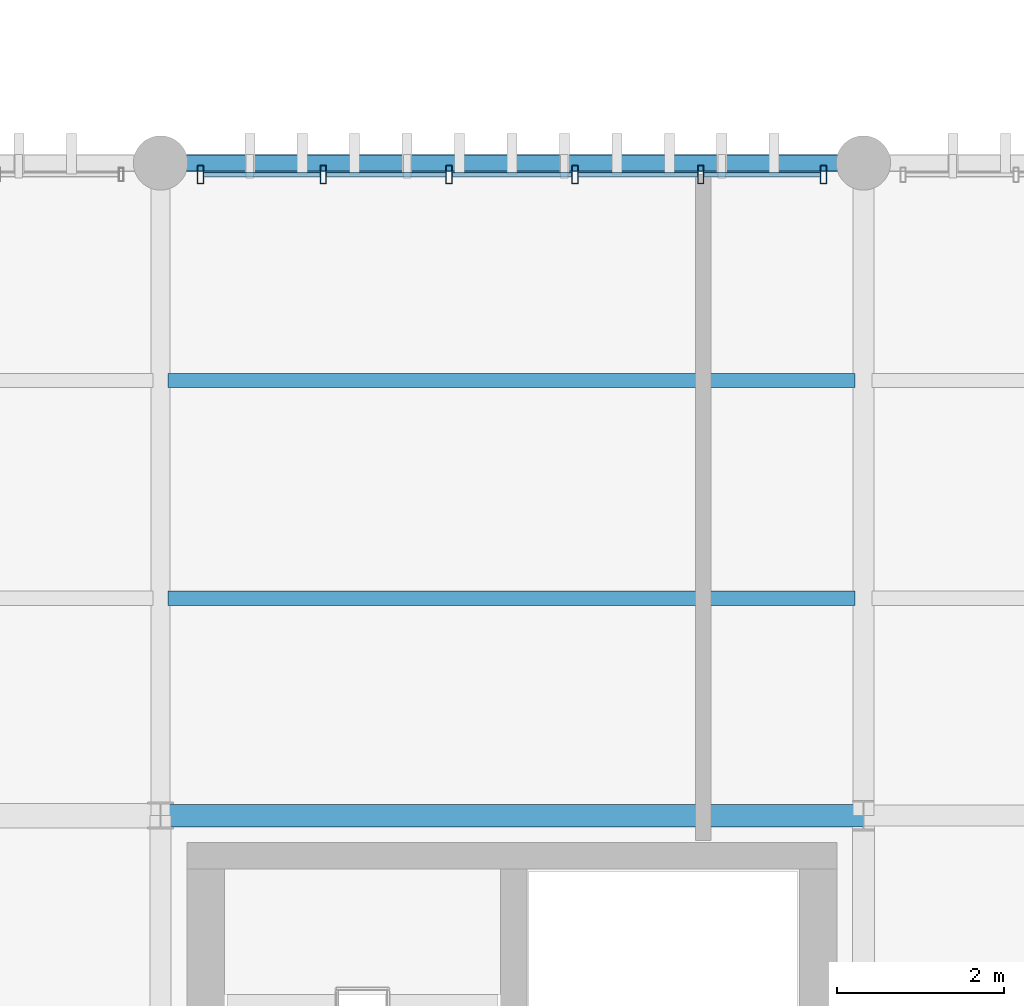
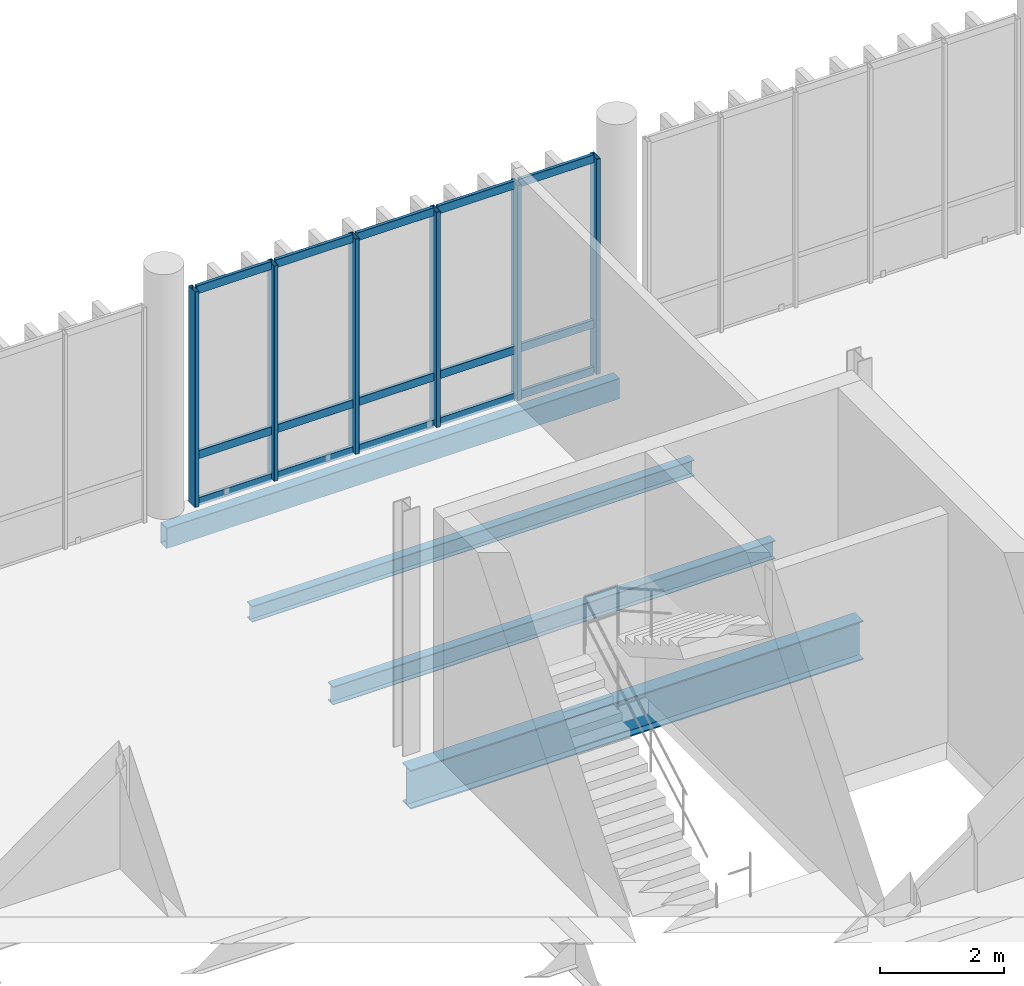
# One storey, part 19 of 86: 21 members, 4 beams, 1 element without a shape of its own.
"""IFC4 building model written with IfcOpenShell, lengths in metres."""

from ifc_helpers import new_model, si_unit, direction, frame, origin_with_axes, origin_2d_with_axis, place, context, subcontext, project, spatial, hollow_rectangle, i_section, extrude, material, material_profile, profile_set, type_object, element, aggregate, save


model = new_model("IFC4")

# Units and contexts
model_context = context("Model", 3, precision=1e-05, world=origin_with_axes(), true_north=direction((0.0, 1.0)))
body_context = subcontext(model_context, "Body", "Model", "MODEL_VIEW")
ifc_project = project(units=[si_unit("LENGTHUNIT", "METRE"), si_unit("AREAUNIT", "SQUARE_METRE"), si_unit("VOLUMEUNIT", "CUBIC_METRE"), si_unit("PLANEANGLEUNIT", "RADIAN"), si_unit("MASSUNIT", "GRAM", prefix="KILO"), si_unit("THERMODYNAMICTEMPERATUREUNIT", "KELVIN")], contexts=[model_context])

# Site, building, storey
site_placement = place(None, origin_with_axes())
site = spatial("IfcSite", under=ifc_project, at=site_placement, CompositionType="ELEMENT")
building_placement = place(site_placement, origin_with_axes())
building = spatial("IfcBuilding", under=site, at=building_placement, Name="Montbau Bow Law Courts", CompositionType="ELEMENT")
storey_placement = place(building_placement, frame((0.0, 0.0, 29.7), z_axis=(0.0, 0.0, 1.0), x_axis=(1.0, 0.0, 0.0)))
storey = spatial("IfcBuildingStorey", under=building, at=storey_placement, Name="L06", CompositionType="ELEMENT", Elevation=29.7)

# Beams
ifc_material_1 = material(Name="Steel CSA G40.21 Grade 350W (350 MPa)", Category="steel")
ifc_material_profile_1 = material_profile(ifc_material_1, i_section(OverallWidth=0.267, OverallDepth=0.766, WebThickness=0.0149, FlangeThickness=0.0236, at=origin_2d_with_axis()), Name="W760X185", Category="Main", Priority=0)
ifc_profile_set_1 = profile_set([ifc_material_profile_1], Name="Steel CSA G40.21 Grade 350W (350 MPa)")
beam_type_1 = type_object("IfcBeamType", Name="B-FLR-03", PredefinedType="BEAM", material=ifc_profile_set_1)
beam_1_placement = place(None, frame((30.6, 54.6, 28.977), z_axis=(1.0, 0.0, 0.0), x_axis=(0.0, 1.0, 0.0)))
element("IfcBeam", 1, at=beam_1_placement, inside=storey, type_object=beam_type_1, Name="BM-L06-S0684:bm2_0687", PredefinedType="BEAM", context=body_context, shape_type="SweptSolid", body=[
    extrude(i_section(OverallWidth=0.267, OverallDepth=0.766, WebThickness=0.0149, FlangeThickness=0.0236, at=origin_2d_with_axis()), origin_with_axes(), (0.0, 0.0, 1.0), 8.4),
])
ifc_material_profile_2 = material_profile(ifc_material_1, i_section(OverallWidth=0.172, OverallDepth=0.358, WebThickness=0.0079, FlangeThickness=0.0131, at=origin_2d_with_axis()), Name="W360X57", Category="Main", Priority=0)
ifc_profile_set_2 = profile_set([ifc_material_profile_2], Name="Steel CSA G40.21 Grade 350W (350 MPa)")
beam_type_2 = type_object("IfcBeamType", Name="B-JST-03", PredefinedType="JOIST", material=ifc_profile_set_2)
beam_2_placement = place(None, frame((30.691, 57.2, 29.181), z_axis=(1.0, 0.0, 0.0), x_axis=(0.0, 1.0, 0.0)))
element("IfcBeam", 2, at=beam_2_placement, inside=storey, type_object=beam_type_2, Name="JST-L06-S0350:jst2_0350", PredefinedType="JOIST", context=body_context, shape_type="SweptSolid", body=[
    extrude(i_section(OverallWidth=0.172, OverallDepth=0.358, WebThickness=0.0079, FlangeThickness=0.0131, at=origin_2d_with_axis()), origin_with_axes(), (0.0, 0.0, 1.0), 8.206),
])
ifc_material_profile_3 = material_profile(ifc_material_1, i_section(OverallWidth=0.166, OverallDepth=0.313, WebThickness=0.0066, FlangeThickness=0.0112, at=origin_2d_with_axis()), Name="W310X45", Category="Main", Priority=0)
ifc_profile_set_3 = profile_set([ifc_material_profile_3], Name="Steel CSA G40.21 Grade 350W (350 MPa)")
beam_type_3 = type_object("IfcBeamType", Name="B-JST-04", PredefinedType="JOIST", material=ifc_profile_set_3)
beam_3_placement = place(None, frame((30.691, 59.8, 29.203), z_axis=(1.0, 0.0, 0.0), x_axis=(0.0, 1.0, 0.0)))
element("IfcBeam", 3, at=beam_3_placement, inside=storey, type_object=beam_type_3, Name="JST-L06-S0351:jst2_0351", PredefinedType="JOIST", context=body_context, shape_type="SweptSolid", body=[
    extrude(i_section(OverallWidth=0.166, OverallDepth=0.313, WebThickness=0.0066, FlangeThickness=0.0112, at=origin_2d_with_axis()), origin_with_axes(), (0.0, 0.0, 1.0), 8.206),
])
ifc_material_2 = material(Name="Steel CSA G40.21 Grade 350WT (350 MPa)", Category="steel")
ifc_material_profile_4 = material_profile(ifc_material_2, hollow_rectangle(XDim=0.203, YDim=0.406, WallThickness=0.0127, InnerFilletRadius=0.0254, OuterFilletRadius=0.0127, at=origin_2d_with_axis()), Name="HSS406X203X13", Category="Main", Priority=0)
ifc_profile_set_4 = profile_set([ifc_material_profile_4], Name="Steel CSA G40.21 Grade 350WT (350 MPa)")
beam_type_4 = type_object("IfcBeamType", Name="B-SPN-01", PredefinedType="SPANDREL", material=ifc_profile_set_4)
beam_4_placement = place(None, frame((30.6, 62.4, 29.157), z_axis=(1.0, 0.0, 0.0), x_axis=(0.0, 1.0, 0.0)))
element("IfcBeam", 4, at=beam_4_placement, inside=storey, type_object=beam_type_4, Name="SPN-L06-S0689:bm2_0692", PredefinedType="SPANDREL", context=body_context, shape_type="SweptSolid", body=[
    extrude(hollow_rectangle(XDim=0.203, YDim=0.406, WallThickness=0.0127, InnerFilletRadius=0.0254, OuterFilletRadius=0.0127, at=origin_2d_with_axis()), origin_with_axes(), (0.0, 0.0, 1.0), 8.4),
])

# Curtain wall, members
ifc_material_3 = material(Name="Thermally Broken Extruded Aluminium AA 6063-T6", Category="aluminium")
curtain_wall_type = type_object("IfcCurtainWallType", Name="CW-TRC-02", PredefinedType="NOTDEFINED", material=ifc_material_3)
curtain_wall_placement = place(None, frame((31.04, 62.26, 29.7), z_axis=(0.0, 0.0, 1.0), x_axis=(1.0, 0.0, 0.0)))
curtain_wall = element("IfcCurtainWall", 5, at=curtain_wall_placement, inside=storey, type_object=curtain_wall_type, Name="CW-L06-102:cw_0102", PredefinedType="NOTDEFINED")
ifc_material_profile_5 = material_profile(ifc_material_3, hollow_rectangle(XDim=0.075, YDim=0.22, WallThickness=0.005, InnerFilletRadius=0.01, OuterFilletRadius=0.005, at=origin_2d_with_axis()), Name="CWM-220X75", Category="Main", Priority=0)
ifc_profile_set_5 = profile_set([ifc_material_profile_5], Name="Thermally Broken Extruded Aluminium AA 6063-T6")
member_type_1 = type_object("IfcMemberType", Name="M-MUL-01", PredefinedType="MULLION", material=ifc_profile_set_5)
member_1_placement = place(None, frame((31.077, 62.26, 29.7), z_axis=(0.0, 0.0, 1.0), x_axis=(1.0, 0.0, 0.0)))
member_1 = element("IfcMember", 6, at=member_1_placement, type_object=member_type_1, Name="CW-L06-102-M01:cw_0102_M01", PredefinedType="MULLION", context=body_context, shape_type="SweptSolid", body=[
    extrude(hollow_rectangle(XDim=0.075, YDim=0.22, WallThickness=0.005, InnerFilletRadius=0.01, OuterFilletRadius=0.005, at=origin_2d_with_axis()), origin_with_axes(), (0.0, 0.0, 1.0), 4.22),
])
member_2_placement = place(None, frame((32.544, 62.26, 29.7), z_axis=(0.0, 0.0, 1.0), x_axis=(1.0, 0.0, 0.0)))
member_2 = element("IfcMember", 7, at=member_2_placement, type_object=member_type_1, Name="CW-L06-102-M02:cw_0102_M02", PredefinedType="MULLION", context=body_context, shape_type="SweptSolid", body=[
    extrude(hollow_rectangle(XDim=0.075, YDim=0.22, WallThickness=0.005, InnerFilletRadius=0.01, OuterFilletRadius=0.005, at=origin_2d_with_axis()), origin_with_axes(), (0.0, 0.0, 1.0), 4.22),
])
member_3_placement = place(None, frame((34.048, 62.26, 29.7), z_axis=(0.0, 0.0, 1.0), x_axis=(1.0, 0.0, 0.0)))
member_3 = element("IfcMember", 8, at=member_3_placement, type_object=member_type_1, Name="CW-L06-102-M03:cw_0102_M03", PredefinedType="MULLION", context=body_context, shape_type="SweptSolid", body=[
    extrude(hollow_rectangle(XDim=0.075, YDim=0.22, WallThickness=0.005, InnerFilletRadius=0.01, OuterFilletRadius=0.005, at=origin_2d_with_axis()), origin_with_axes(), (0.0, 0.0, 1.0), 4.22),
])
member_4_placement = place(None, frame((35.552, 62.26, 29.7), z_axis=(0.0, 0.0, 1.0), x_axis=(1.0, 0.0, 0.0)))
member_4 = element("IfcMember", 9, at=member_4_placement, type_object=member_type_1, Name="CW-L06-102-M04:cw_0102_M04", PredefinedType="MULLION", context=body_context, shape_type="SweptSolid", body=[
    extrude(hollow_rectangle(XDim=0.075, YDim=0.22, WallThickness=0.005, InnerFilletRadius=0.01, OuterFilletRadius=0.005, at=origin_2d_with_axis()), origin_with_axes(), (0.0, 0.0, 1.0), 4.22),
])
member_5_placement = place(None, frame((37.056, 62.26, 29.7), z_axis=(0.0, 0.0, 1.0), x_axis=(1.0, 0.0, 0.0)))
member_5 = element("IfcMember", 10, at=member_5_placement, type_object=member_type_1, Name="CW-L06-102-M05:cw_0102_M05", PredefinedType="MULLION", context=body_context, shape_type="SweptSolid", body=[
    extrude(hollow_rectangle(XDim=0.075, YDim=0.22, WallThickness=0.005, InnerFilletRadius=0.01, OuterFilletRadius=0.005, at=origin_2d_with_axis()), origin_with_axes(), (0.0, 0.0, 1.0), 4.22),
])
member_6_placement = place(None, frame((38.523, 62.26, 29.7), z_axis=(0.0, 0.0, 1.0), x_axis=(1.0, 0.0, 0.0)))
member_6 = element("IfcMember", 11, at=member_6_placement, type_object=member_type_1, Name="CW-L06-102-M06:cw_0102_M06", PredefinedType="MULLION", context=body_context, shape_type="SweptSolid", body=[
    extrude(hollow_rectangle(XDim=0.075, YDim=0.22, WallThickness=0.005, InnerFilletRadius=0.01, OuterFilletRadius=0.005, at=origin_2d_with_axis()), origin_with_axes(), (0.0, 0.0, 1.0), 4.22),
])
ifc_material_profile_6 = material_profile(ifc_material_3, hollow_rectangle(XDim=0.06, YDim=0.16, WallThickness=0.004, InnerFilletRadius=0.008, OuterFilletRadius=0.004, at=origin_2d_with_axis()), Name="CWT-160X60", Category="Main", Priority=0)
ifc_profile_set_6 = profile_set([ifc_material_profile_6], Name="Thermally Broken Extruded Aluminium AA 6063-T6")
member_type_2 = type_object("IfcMemberType", Name="M-TRN-01", PredefinedType="USERDEFINED", material=ifc_profile_set_6)
member_7_placement = place(None, frame((31.116, 62.26, 29.73), z_axis=(1.0, 0.0, 0.0), x_axis=(0.0, 1.0, 0.0)))
member_7 = element("IfcMember", 12, at=member_7_placement, type_object=member_type_2, Name="CW-L06-102-T01-1:cw_0102_T01_1", ObjectType="TRANSOM", PredefinedType="USERDEFINED", context=body_context, shape_type="SweptSolid", body=[
    extrude(hollow_rectangle(XDim=0.06, YDim=0.16, WallThickness=0.004, InnerFilletRadius=0.008, OuterFilletRadius=0.004, at=origin_2d_with_axis()), origin_with_axes(), (0.0, 0.0, 1.0), 1.388),
])
member_8_placement = place(None, frame((31.116, 62.26, 30.65), z_axis=(1.0, 0.0, 0.0), x_axis=(0.0, 1.0, 0.0)))
member_8 = element("IfcMember", 13, at=member_8_placement, type_object=member_type_2, Name="CW-L06-102-T01-2:cw_0102_T01_2", ObjectType="TRANSOM", PredefinedType="USERDEFINED", context=body_context, shape_type="SweptSolid", body=[
    extrude(hollow_rectangle(XDim=0.06, YDim=0.16, WallThickness=0.004, InnerFilletRadius=0.008, OuterFilletRadius=0.004, at=origin_2d_with_axis()), origin_with_axes(), (0.0, 0.0, 1.0), 1.388),
])
member_9_placement = place(None, frame((31.116, 62.26, 33.89), z_axis=(1.0, 0.0, 0.0), x_axis=(0.0, 1.0, 0.0)))
member_9 = element("IfcMember", 14, at=member_9_placement, type_object=member_type_2, Name="CW-L06-102-T01-3:cw_0102_T01_3", ObjectType="TRANSOM", PredefinedType="USERDEFINED", context=body_context, shape_type="SweptSolid", body=[
    extrude(hollow_rectangle(XDim=0.06, YDim=0.16, WallThickness=0.004, InnerFilletRadius=0.008, OuterFilletRadius=0.004, at=origin_2d_with_axis()), origin_with_axes(), (0.0, 0.0, 1.0), 1.388),
])
member_10_placement = place(None, frame((32.584, 62.26, 29.73), z_axis=(1.0, 0.0, 0.0), x_axis=(0.0, 1.0, 0.0)))
member_10 = element("IfcMember", 15, at=member_10_placement, type_object=member_type_2, Name="CW-L06-102-T02-1:cw_0102_T02_1", ObjectType="TRANSOM", PredefinedType="USERDEFINED", context=body_context, shape_type="SweptSolid", body=[
    extrude(hollow_rectangle(XDim=0.06, YDim=0.16, WallThickness=0.004, InnerFilletRadius=0.008, OuterFilletRadius=0.004, at=origin_2d_with_axis()), origin_with_axes(), (0.0, 0.0, 1.0), 1.425),
])
member_11_placement = place(None, frame((32.584, 62.26, 30.65), z_axis=(1.0, 0.0, 0.0), x_axis=(0.0, 1.0, 0.0)))
member_11 = element("IfcMember", 16, at=member_11_placement, type_object=member_type_2, Name="CW-L06-102-T02-2:cw_0102_T02_2", ObjectType="TRANSOM", PredefinedType="USERDEFINED", context=body_context, shape_type="SweptSolid", body=[
    extrude(hollow_rectangle(XDim=0.06, YDim=0.16, WallThickness=0.004, InnerFilletRadius=0.008, OuterFilletRadius=0.004, at=origin_2d_with_axis()), origin_with_axes(), (0.0, 0.0, 1.0), 1.425),
])
member_12_placement = place(None, frame((32.584, 62.26, 33.89), z_axis=(1.0, 0.0, 0.0), x_axis=(0.0, 1.0, 0.0)))
member_12 = element("IfcMember", 17, at=member_12_placement, type_object=member_type_2, Name="CW-L06-102-T02-3:cw_0102_T02_3", ObjectType="TRANSOM", PredefinedType="USERDEFINED", context=body_context, shape_type="SweptSolid", body=[
    extrude(hollow_rectangle(XDim=0.06, YDim=0.16, WallThickness=0.004, InnerFilletRadius=0.008, OuterFilletRadius=0.004, at=origin_2d_with_axis()), origin_with_axes(), (0.0, 0.0, 1.0), 1.425),
])
member_13_placement = place(None, frame((34.087, 62.26, 29.73), z_axis=(1.0, 0.0, 0.0), x_axis=(0.0, 1.0, 0.0)))
member_13 = element("IfcMember", 18, at=member_13_placement, type_object=member_type_2, Name="CW-L06-102-T03-1:cw_0102_T03_1", ObjectType="TRANSOM", PredefinedType="USERDEFINED", context=body_context, shape_type="SweptSolid", body=[
    extrude(hollow_rectangle(XDim=0.06, YDim=0.16, WallThickness=0.004, InnerFilletRadius=0.008, OuterFilletRadius=0.004, at=origin_2d_with_axis()), origin_with_axes(), (0.0, 0.0, 1.0), 1.426),
])
member_14_placement = place(None, frame((34.087, 62.26, 30.65), z_axis=(1.0, 0.0, 0.0), x_axis=(0.0, 1.0, 0.0)))
member_14 = element("IfcMember", 19, at=member_14_placement, type_object=member_type_2, Name="CW-L06-102-T03-2:cw_0102_T03_2", ObjectType="TRANSOM", PredefinedType="USERDEFINED", context=body_context, shape_type="SweptSolid", body=[
    extrude(hollow_rectangle(XDim=0.06, YDim=0.16, WallThickness=0.004, InnerFilletRadius=0.008, OuterFilletRadius=0.004, at=origin_2d_with_axis()), origin_with_axes(), (0.0, 0.0, 1.0), 1.426),
])
member_15_placement = place(None, frame((34.087, 62.26, 33.89), z_axis=(1.0, 0.0, 0.0), x_axis=(0.0, 1.0, 0.0)))
member_15 = element("IfcMember", 20, at=member_15_placement, type_object=member_type_2, Name="CW-L06-102-T03-3:cw_0102_T03_3", ObjectType="TRANSOM", PredefinedType="USERDEFINED", context=body_context, shape_type="SweptSolid", body=[
    extrude(hollow_rectangle(XDim=0.06, YDim=0.16, WallThickness=0.004, InnerFilletRadius=0.008, OuterFilletRadius=0.004, at=origin_2d_with_axis()), origin_with_axes(), (0.0, 0.0, 1.0), 1.426),
])
member_16_placement = place(None, frame((35.591, 62.26, 29.73), z_axis=(1.0, 0.0, 0.0), x_axis=(0.0, 1.0, 0.0)))
member_16 = element("IfcMember", 21, at=member_16_placement, type_object=member_type_2, Name="CW-L06-102-T04-1:cw_0102_T04_1", ObjectType="TRANSOM", PredefinedType="USERDEFINED", context=body_context, shape_type="SweptSolid", body=[
    extrude(hollow_rectangle(XDim=0.06, YDim=0.16, WallThickness=0.004, InnerFilletRadius=0.008, OuterFilletRadius=0.004, at=origin_2d_with_axis()), origin_with_axes(), (0.0, 0.0, 1.0), 1.426),
])
member_17_placement = place(None, frame((35.591, 62.26, 30.65), z_axis=(1.0, 0.0, 0.0), x_axis=(0.0, 1.0, 0.0)))
member_17 = element("IfcMember", 22, at=member_17_placement, type_object=member_type_2, Name="CW-L06-102-T04-2:cw_0102_T04_2", ObjectType="TRANSOM", PredefinedType="USERDEFINED", context=body_context, shape_type="SweptSolid", body=[
    extrude(hollow_rectangle(XDim=0.06, YDim=0.16, WallThickness=0.004, InnerFilletRadius=0.008, OuterFilletRadius=0.004, at=origin_2d_with_axis()), origin_with_axes(), (0.0, 0.0, 1.0), 1.426),
])
member_18_placement = place(None, frame((35.591, 62.26, 33.89), z_axis=(1.0, 0.0, 0.0), x_axis=(0.0, 1.0, 0.0)))
member_18 = element("IfcMember", 23, at=member_18_placement, type_object=member_type_2, Name="CW-L06-102-T04-3:cw_0102_T04_3", ObjectType="TRANSOM", PredefinedType="USERDEFINED", context=body_context, shape_type="SweptSolid", body=[
    extrude(hollow_rectangle(XDim=0.06, YDim=0.16, WallThickness=0.004, InnerFilletRadius=0.008, OuterFilletRadius=0.004, at=origin_2d_with_axis()), origin_with_axes(), (0.0, 0.0, 1.0), 1.426),
])
member_19_placement = place(None, frame((37.095, 62.26, 29.73), z_axis=(1.0, 0.0, 0.0), x_axis=(0.0, 1.0, 0.0)))
member_19 = element("IfcMember", 24, at=member_19_placement, type_object=member_type_2, Name="CW-L06-102-T05-1:cw_0102_T05_1", ObjectType="TRANSOM", PredefinedType="USERDEFINED", context=body_context, shape_type="SweptSolid", body=[
    extrude(hollow_rectangle(XDim=0.06, YDim=0.16, WallThickness=0.004, InnerFilletRadius=0.008, OuterFilletRadius=0.004, at=origin_2d_with_axis()), origin_with_axes(), (0.0, 0.0, 1.0), 1.389),
])
member_20_placement = place(None, frame((37.095, 62.26, 30.65), z_axis=(1.0, 0.0, 0.0), x_axis=(0.0, 1.0, 0.0)))
member_20 = element("IfcMember", 25, at=member_20_placement, type_object=member_type_2, Name="CW-L06-102-T05-2:cw_0102_T05_2", ObjectType="TRANSOM", PredefinedType="USERDEFINED", context=body_context, shape_type="SweptSolid", body=[
    extrude(hollow_rectangle(XDim=0.06, YDim=0.16, WallThickness=0.004, InnerFilletRadius=0.008, OuterFilletRadius=0.004, at=origin_2d_with_axis()), origin_with_axes(), (0.0, 0.0, 1.0), 1.389),
])
member_21_placement = place(None, frame((37.095, 62.26, 33.89), z_axis=(1.0, 0.0, 0.0), x_axis=(0.0, 1.0, 0.0)))
member_21 = element("IfcMember", 26, at=member_21_placement, type_object=member_type_2, Name="CW-L06-102-T05-3:cw_0102_T05_3", ObjectType="TRANSOM", PredefinedType="USERDEFINED", context=body_context, shape_type="SweptSolid", body=[
    extrude(hollow_rectangle(XDim=0.06, YDim=0.16, WallThickness=0.004, InnerFilletRadius=0.008, OuterFilletRadius=0.004, at=origin_2d_with_axis()), origin_with_axes(), (0.0, 0.0, 1.0), 1.389),
])
aggregate(curtain_wall, [member_1, member_2, member_3, member_4, member_5, member_6, member_7, member_8, member_9, member_10, member_11, member_12, member_13, member_14, member_15, member_16, member_17, member_18, member_19, member_20, member_21])

save(model, "model.ifc")
